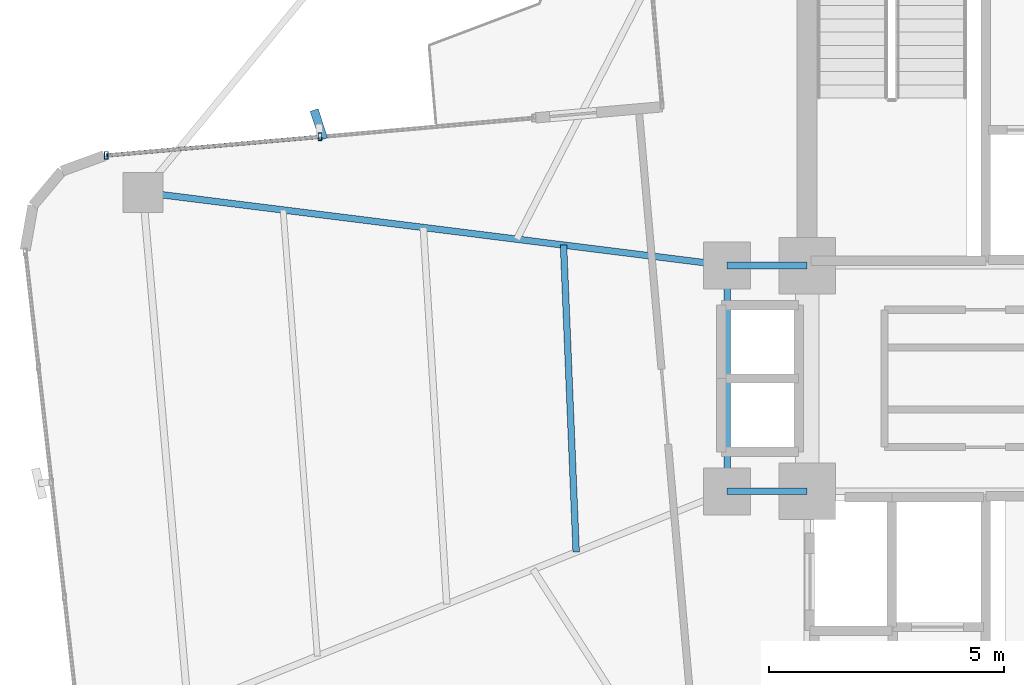
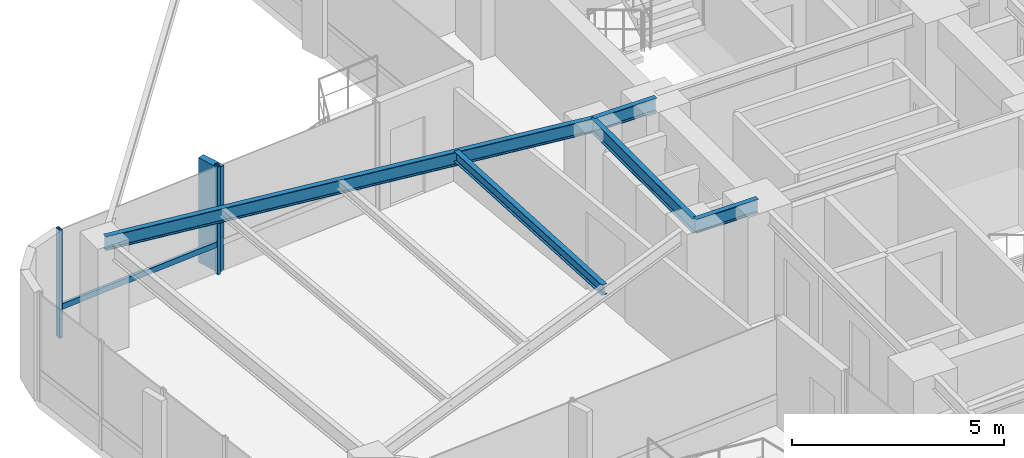
# One storey, part 9 of 24: 5 beams, 4 members, 1 element without a shape of its own.
"""IFC4 building model written with IfcOpenShell, lengths in metres."""

import ifcopenshell
import ifcopenshell.guid

model = None  # the IFC model being written
_history = None  # IfcOwnerHistory: only IFC2X3 demands one
_inside = {}  # id of a spatial element -> (the spatial element, [elements in it])
_under = {}  # id of a project, library or spatial element -> (it, [spatial elements below it])
_declared = {}  # id of a project -> (the project, [libraries it declares])
_typed = {}  # id of a type object -> (the type object, [elements of that type])
_made_of = {}  # id of a material, layer set ... -> (it, [elements and type objects made of it])


def new_model(schema):
    """Start an empty IFC model of exactly this schema.

    Asked for "IFC4X3", IfcOpenShell would pick the latest addendum, in which some entities
    have other attributes; the version numbers below select the first issue.
    IFC2X3 requires an IfcOwnerHistory on every rooted entity: one is made here for all.
    """
    global model, _history
    if schema == "IFC4X3":
        model = ifcopenshell.file(schema_version=(4, 3, 0, 0))
    else:
        model = ifcopenshell.file(schema=schema)
    _inside.clear()
    _under.clear()
    _declared.clear()
    _typed.clear()
    _made_of.clear()
    _history = None
    if model.schema == "IFC2X3":
        org = make("IfcOrganization", Name="unknown")
        user = make(
            "IfcPersonAndOrganization",
            ThePerson=make("IfcPerson", FamilyName="unknown"),
            TheOrganization=org,
        )
        app = make(
            "IfcApplication",
            ApplicationDeveloper=org,
            Version="unknown",
            ApplicationFullName="unknown",
            ApplicationIdentifier="unknown",
        )
        _history = make(
            "IfcOwnerHistory",
            OwningUser=user,
            OwningApplication=app,
            ChangeAction="ADDED",
            CreationDate=0,
        )
    return model


def make(cls, **values):
    """One entity of the class cls with the attributes given. An attribute that is None is left unset."""
    return model.create_entity(
        cls, **{name: value for name, value in values.items() if value is not None}
    )


def rooted(cls, **values):
    """An entity with a GlobalId (a new one), such as an element, a storey or a relation."""
    return make(cls, GlobalId=ifcopenshell.guid.new(), OwnerHistory=_history, **values)


def si_unit(unit_type, name, prefix=None):
    """IfcSIUnit, for example si_unit("LENGTHUNIT", "METRE", prefix="MILLI")."""
    return make("IfcSIUnit", UnitType=unit_type, Prefix=prefix, Name=name)


def assignment(units):
    """IfcUnitAssignment: the units of a project."""
    return None if units is None else make("IfcUnitAssignment", Units=units)


def point(xyz):
    """IfcCartesianPoint."""
    return None if xyz is None else make("IfcCartesianPoint", Coordinates=xyz)


def direction(xyz):
    """IfcDirection."""
    return None if xyz is None else make("IfcDirection", DirectionRatios=xyz)


def frame(location, z_axis=None, x_axis=None):
    """IfcAxis2Placement3D, a coordinate frame: its origin and axes. An axis left out is left unset."""
    return make(
        "IfcAxis2Placement3D",
        Location=point(location),
        Axis=direction(z_axis),
        RefDirection=direction(x_axis),
    )


def frame_2d(location, x_axis=None):
    """IfcAxis2Placement2D, a coordinate frame in the plane: its origin and x axis."""
    return make(
        "IfcAxis2Placement2D", Location=point(location), RefDirection=direction(x_axis)
    )


def origin():
    """The frame at (0, 0, 0) with its axes left unset."""
    return frame((0.0, 0.0, 0.0))


def origin_2d():
    """The frame at (0, 0) in the plane with its x axis left unset."""
    return frame_2d((0.0, 0.0))


def place(relative_to, where):
    """IfcLocalPlacement: puts the frame where relative to a parent placement (None: the world)."""
    return make(
        "IfcLocalPlacement", PlacementRelTo=relative_to, RelativePlacement=where
    )


def context(
    kind, dimensions, precision=None, world=None, true_north=None, identifier=None
):
    """IfcGeometricRepresentationContext, for example the 3D "Model" context."""
    return make(
        "IfcGeometricRepresentationContext",
        ContextIdentifier=identifier,
        ContextType=kind,
        CoordinateSpaceDimension=dimensions,
        Precision=precision,
        WorldCoordinateSystem=world,
        TrueNorth=true_north,
    )


def subcontext(parent, identifier, kind, view, scale=None):
    """IfcGeometricRepresentationSubContext, for example "Body" below "Model"."""
    return make(
        "IfcGeometricRepresentationSubContext",
        ContextIdentifier=identifier,
        ContextType=kind,
        ParentContext=parent,
        TargetScale=scale,
        TargetView=view,
    )


def project(units=None, contexts=None):
    """IfcProject with its units and contexts."""
    return rooted(
        "IfcProject",
        Name="project",
        RepresentationContexts=contexts,
        UnitsInContext=assignment(units),
    )


def spatial(cls, under=None, at=None, **own):
    """A site, building, storey or space (cls), placed at a placement, below another one or the project."""
    s = rooted(cls, ObjectPlacement=at, **own)
    if under is not None:
        _under.setdefault(under.id(), (under, []))[1].append(s)
    return s


def profile(cls, at=None, kind="AREA", **sizes):
    """A parametric profile (cls). Its sizes go by their IFC names, for example OverallWidth=200.0."""
    return make(cls, ProfileType=kind, Position=at, **sizes)


def rectangle(**sizes):
    """IfcRectangleProfileDef."""
    return profile("IfcRectangleProfileDef", **sizes)


def hollow_rectangle(**sizes):
    """IfcRectangleHollowProfileDef."""
    return profile("IfcRectangleHollowProfileDef", **sizes)


def i_section(**sizes):
    """IfcIShapeProfileDef."""
    return profile("IfcIShapeProfileDef", **sizes)


def extrude(swept, where, along, depth):
    """IfcExtrudedAreaSolid: the profile swept, set in the frame where, extruded along a direction by depth."""
    return make(
        "IfcExtrudedAreaSolid",
        SweptArea=swept,
        Position=where,
        ExtrudedDirection=direction(along),
        Depth=depth,
    )


def shape(context_of_items, identifier, shape_type, items):
    """IfcShapeRepresentation: the items that make up one representation, for example the "Body"."""
    return make(
        "IfcShapeRepresentation",
        ContextOfItems=context_of_items,
        RepresentationIdentifier=identifier,
        RepresentationType=shape_type,
        Items=items,
    )


def source(mapping_origin, context_of_items, identifier, shape_type, items):
    """IfcRepresentationMap: a shape defined once, which mapped items show again and again."""
    return make(
        "IfcRepresentationMap",
        MappingOrigin=mapping_origin,
        MappedRepresentation=shape(context_of_items, identifier, shape_type, items),
    )


def transform(
    local_origin,
    x_axis=None,
    y_axis=None,
    z_axis=None,
    scale=None,
    scale2=None,
    scale3=None,
    uniform=True,
):
    """IfcCartesianTransformationOperator3D, or its non-uniform kind. x_axis, y_axis, z_axis: its Axis1, 2, 3."""
    if uniform:
        return make(
            "IfcCartesianTransformationOperator3D",
            Axis1=direction(x_axis),
            Axis2=direction(y_axis),
            LocalOrigin=point(local_origin),
            Scale=scale,
            Axis3=direction(z_axis),
        )
    return make(
        "IfcCartesianTransformationOperator3DnonUniform",
        Axis1=direction(x_axis),
        Axis2=direction(y_axis),
        LocalOrigin=point(local_origin),
        Scale=scale,
        Axis3=direction(z_axis),
        Scale2=scale2,
        Scale3=scale3,
    )


def mapped(mapping_source, mapping_target):
    """IfcMappedItem: shows the shape of a source again, moved by a transform."""
    return make(
        "IfcMappedItem", MappingSource=mapping_source, MappingTarget=mapping_target
    )


def material(Name=None, Category=None):
    """IfcMaterial."""
    return make("IfcMaterial", Name=Name, Category=Category)


def material_profile(
    of_material, cross_section, Name=None, Category=None, Priority=None
):
    """IfcMaterialProfile: a cross section and its material."""
    return make(
        "IfcMaterialProfile",
        Name=Name,
        Material=of_material,
        Profile=cross_section,
        Priority=Priority,
        Category=Category,
    )


def profile_set(profiles, Name=None, composite=None):
    """IfcMaterialProfileSet."""
    return make(
        "IfcMaterialProfileSet",
        Name=Name,
        MaterialProfiles=profiles,
        CompositeProfile=composite,
    )


def made_of(thing, what):
    """Note that an element or type object is made of a material, layer set ...; save() writes the relation."""
    if what is not None:
        _made_of.setdefault(what.id(), (what, []))[1].append(thing)
    return thing


def type_object(cls, material=None, **own):
    """A type object (cls), such as IfcWallType, which elements share."""
    return made_of(rooted(cls, **own), material)


def element(
    cls,
    number,
    at=None,
    inside=None,
    cuts=None,
    type_object=None,
    material=None,
    context=None,
    identifier="Body",
    shape_type=None,
    held_by="IfcProductDefinitionShape",
    body=None,
    shapes=None,
    **own,
):
    """One element of the class cls, such as IfcWall. Its Tag is "e" and its number.

    at: its placement. inside: the storey or other place that contains it. cuts: it is an
    opening in that element (IfcRelVoidsElement). A single representation is given by context,
    identifier, shape_type and body (its items); several are given by shapes. held_by: the class
    of the entity that holds the representations. save() writes the other relations.
    """
    e = rooted(cls, Tag="e%d" % number, ObjectPlacement=at, **own)
    if body is not None:
        shapes = [shape(context, identifier, shape_type, body)]
    if shapes is not None:
        e.Representation = make(held_by, Representations=shapes)
    if inside is not None:
        _inside.setdefault(inside.id(), (inside, []))[1].append(e)
    if cuts is not None:
        rooted(
            "IfcRelVoidsElement", RelatingBuildingElement=cuts, RelatedOpeningElement=e
        )
    if type_object is not None:
        _typed.setdefault(type_object.id(), (type_object, []))[1].append(e)
    return made_of(e, material)


def aggregate(whole, parts):
    """IfcRelAggregates: a whole, such as a stair, and the parts it consists of."""
    return rooted("IfcRelAggregates", RelatingObject=whole, RelatedObjects=parts)


def save(model, path):
    """Write the relations noted so far, then the file.

    IfcRelAggregates (storeys below a building ...), IfcRelContainedInSpatialStructure (elements
    in a storey), IfcRelDefinesByType, IfcRelAssociatesMaterial and IfcRelDeclares: one each for
    every whole, place, type object, material and project.
    """
    for whole, parts in _under.values():
        aggregate(whole, parts)
    for where, things in _inside.values():
        rooted(
            "IfcRelContainedInSpatialStructure",
            RelatedElements=things,
            RelatingStructure=where,
        )
    for kind, things in _typed.values():
        rooted("IfcRelDefinesByType", RelatedObjects=things, RelatingType=kind)
    for what, things in _made_of.values():
        rooted("IfcRelAssociatesMaterial", RelatedObjects=things, RelatingMaterial=what)
    for by, libraries in _declared.values():
        rooted("IfcRelDeclares", RelatingContext=by, RelatedDefinitions=libraries)
    model.write(path)


model = new_model("IFC4")

# Units and contexts
model_context = context("Model", 3, precision=1e-05, world=origin(), true_north=direction((0.0, 1.0)))
body_context = subcontext(model_context, "Body", "Model", "MODEL_VIEW")
ifc_project = project(units=[si_unit("LENGTHUNIT", "METRE"), si_unit("AREAUNIT", "SQUARE_METRE"), si_unit("VOLUMEUNIT", "CUBIC_METRE"), si_unit("PLANEANGLEUNIT", "RADIAN"), si_unit("MASSUNIT", "GRAM", prefix="KILO")], contexts=[model_context])

# Site, building, storey
site_placement = place(None, origin())
site = spatial("IfcSite", under=ifc_project, at=site_placement, CompositionType="ELEMENT")
building_placement = place(site_placement, origin())
building = spatial("IfcBuilding", under=site, at=building_placement, Name="Sahyath Konkavel Grand Hotel", CompositionType="ELEMENT")
storey_placement = place(building_placement, frame((0.0, 0.0, 185.25)))
storey = spatial("IfcBuildingStorey", under=building, at=storey_placement, Name="L51", CompositionType="ELEMENT", Elevation=185.25)

# Beams
ifc_material_1 = material(Name="Steel E350", Category="steel")
ifc_material_profile_1 = material_profile(ifc_material_1, i_section(OverallWidth=0.139892578125, OverallDepth=0.39990234375, WebThickness=0.0087890625, FlangeThickness=0.01611328125, FilletRadius=0.013916015625, at=origin_2d()), Name="ISMB 400")
ifc_profile_set_1 = profile_set([ifc_material_profile_1], Name="Steel E350")
beam_type_1 = type_object("IfcBeamType", Name="BM-ISMB400", PredefinedType="BEAM", material=ifc_profile_set_1)
shared_shape_1 = source(origin(), body_context, "Body", "SweptSolid", [
    extrude(i_section(OverallWidth=0.139892578125, OverallDepth=0.39990234375, WebThickness=0.0087890625, FlangeThickness=0.01611328125, FilletRadius=0.013916015625, at=origin_2d()), origin(), (0.0, 0.0, 1.0), 1.699951171875),
])
for number, where, z_axis, x_axis, name in (
    (1, (-5.5, 2.39990234375, 2.909912109375), (1.0, 0.0, 0.0), (0.0, 1.0, 0.0), "str:bm:L51:HB-NW"),
    (2, (-5.5, -2.39990234375, 2.909912109375), (1.0, 0.0, 0.0), (0.0, 1.0, 0.0), "str:bm:L51:HB-SW"),
):
    element("IfcBeam", number, at=place(storey_placement, frame(where, z_axis=z_axis, x_axis=x_axis)), inside=storey, type_object=beam_type_1, Name=name, PredefinedType="BEAM", context=body_context, shape_type="MappedRepresentation", body=[
        mapped(shared_shape_1, transform((0.0, 0.0, 0.0), scale=1.0)),
    ])
shared_shape_2 = source(origin(), body_context, "Body", "SweptSolid", [
    extrude(i_section(OverallWidth=0.139892578125, OverallDepth=0.39990234375, WebThickness=0.0087890625, FlangeThickness=0.01611328125, FilletRadius=0.013916015625, at=origin_2d()), origin(), (0.0, 0.0, 1.0), 4.7998046875),
])
beam_1_placement = place(storey_placement, frame((-5.5, -2.39990234375, 2.909912109375), z_axis=(0.0, 1.0, 0.0), x_axis=(-1.0, 0.0, 0.0)))
element("IfcBeam", 3, at=beam_1_placement, inside=storey, type_object=beam_type_1, Name="str:bm:L51:HB-W", PredefinedType="BEAM", context=body_context, shape_type="MappedRepresentation", body=[
    mapped(shared_shape_2, transform((0.0, 0.0, 0.0), scale=1.0)),
])
shared_shape_3 = source(origin(), body_context, "Body", "SweptSolid", [
    extrude(i_section(OverallWidth=0.139892578125, OverallDepth=0.39990234375, WebThickness=0.0087890625, FlangeThickness=0.01611328125, FilletRadius=0.013916015625, at=origin_2d()), origin(), (0.0, 0.0, 1.0), 12.509765625),
])
beam_2_placement = place(storey_placement, frame((-5.5, 2.39990234375, 2.909912109375), z_axis=(-0.992254740459, 0.124219684578, 0.0), x_axis=(-0.124219684578, -0.992254740459, 0.0)))
element("IfcBeam", 4, at=beam_2_placement, inside=storey, type_object=beam_type_1, Name="L51 Cruciform Radial Girder WA", PredefinedType="BEAM", context=body_context, shape_type="MappedRepresentation", body=[
    mapped(shared_shape_3, transform((0.0, 0.0, 0.0), scale=1.0)),
])
ifc_material_profile_2 = material_profile(ifc_material_1, i_section(OverallWidth=0.139892578125, OverallDepth=0.300048828125, WebThickness=0.0078125, FlangeThickness=0.01318359375, FilletRadius=0.013916015625, at=origin_2d()), Name="ISMB 300")
ifc_profile_set_2 = profile_set([ifc_material_profile_2], Name="Steel E350")
beam_type_2 = type_object("IfcBeamType", Name="BM-ISMB300", PredefinedType="BEAM", material=ifc_profile_set_2)
shared_shape_4 = source(origin(), body_context, "Body", "SweptSolid", [
    extrude(i_section(OverallWidth=0.139892578125, OverallDepth=0.300048828125, WebThickness=0.0078125, FlangeThickness=0.01318359375, FilletRadius=0.013916015625, at=origin_2d()), origin(), (0.0, 0.0, 1.0), 6.530029296875),
])
beam_3_placement = place(storey_placement, frame((-8.9755859375, 2.835205078125, 2.9599609375), z_axis=(0.04112667768, -0.999153940283, 0.0), x_axis=(0.999153940283, 0.04112667768, 0.0)))
element("IfcBeam", 5, at=beam_3_placement, inside=storey, type_object=beam_type_2, Name="L51 Secondary Floor Beam W-1", PredefinedType="BEAM", context=body_context, shape_type="MappedRepresentation", body=[
    mapped(shared_shape_4, transform((0.0, 0.0, 0.0), scale=1.0)),
])

# Curtain wall, members
ifc_material_2 = material(Name="Anodised Bronze Aluminium & Low-E Glazing", Category="aluminium")
curtain_wall_type = type_object("IfcCurtainWallType", Name="CW-ZONE3", PredefinedType="NOTDEFINED", material=ifc_material_2)
curtain_wall_placement = place(storey_placement, origin())
curtain_wall = element("IfcCurtainWall", 6, at=curtain_wall_placement, inside=storey, type_object=curtain_wall_type, Name="L51 Unitised Curtain Wall F16", PredefinedType="NOTDEFINED")
ifc_material_3 = material(Name="Warm Buff Sandstone Cladding on Concrete C50/60", Category="masonry")
ifc_material_profile_3 = material_profile(ifc_material_3, rectangle(XDim=0.179931640625, YDim=0.64990234375, at=origin_2d()), Name="FIN 180x650")
ifc_profile_set_3 = profile_set([ifc_material_profile_3], Name="Warm Buff Sandstone Cladding on Concrete C50/60")
member_type_1 = type_object("IfcMemberType", Name="FIN-SANDSTONE-650", PredefinedType="MULLION", material=ifc_profile_set_3)
shared_shape_5 = source(origin(), body_context, "Body", "SweptSolid", [
    extrude(rectangle(XDim=0.179931640625, YDim=0.64990234375, at=origin_2d()), origin(), (0.0, 0.0, 1.0), 3.010009765625),
])
member_1_placement = place(storey_placement, frame((-14.17431640625, 5.39501953125, 0.050048828125), z_axis=(0.0, 0.0, 1.0), x_axis=(0.951272019071, 0.30835295642, 0.0)))
member_1 = element("IfcMember", 7, at=member_1_placement, type_object=member_type_1, Name="L51 Sandstone Vertical Solar Fin FIN F16-1", PredefinedType="MULLION", context=body_context, shape_type="MappedRepresentation", body=[
    mapped(shared_shape_5, transform((0.0, 0.0, 0.0), scale=1.0)),
])
ifc_material_4 = material(Name="Anodised Bronze Aluminium", Category="aluminium")
ifc_material_profile_4 = material_profile(ifc_material_4, hollow_rectangle(XDim=0.080078125, YDim=0.159912109375, WallThickness=0.006103515625, at=origin_2d()), Name="RHS 160x80x6")
ifc_profile_set_4 = profile_set([ifc_material_profile_4], Name="Anodised Bronze Aluminium")
member_type_2 = type_object("IfcMemberType", Name="CW-MUL-160", PredefinedType="MULLION", material=ifc_profile_set_4)
shared_shape_6 = source(origin(), body_context, "Body", "SweptSolid", [
    extrude(hollow_rectangle(XDim=0.080078125, YDim=0.159912109375, WallThickness=0.006103515625, at=origin_2d()), origin(), (0.0, 0.0, 1.0), 3.110107421875),
])
member_2_placement = place(storey_placement, frame((-14.151611328125, 5.135986328125, 0.0), z_axis=(0.0, 0.0, 1.0), x_axis=(1.0, 0.0, 0.0)))
member_2 = element("IfcMember", 8, at=member_2_placement, type_object=member_type_2, Name="L51 Curtain Wall Mullion F16-1", PredefinedType="MULLION", context=body_context, shape_type="MappedRepresentation", body=[
    mapped(shared_shape_6, transform((0.0, 0.0, 0.0), scale=1.0)),
])
member_3_placement = place(storey_placement, frame((-18.694091796875, 4.73876953125, 0.0), z_axis=(0.0, 0.0, 1.0), x_axis=(1.0, 0.0, 0.0)))
member_3 = element("IfcMember", 9, at=member_3_placement, type_object=member_type_2, Name="L51 Curtain Wall Mullion F16-2", PredefinedType="MULLION", context=body_context, shape_type="MappedRepresentation", body=[
    mapped(shared_shape_6, transform((0.0, 0.0, 0.0), scale=1.0)),
])
ifc_material_profile_5 = material_profile(ifc_material_4, hollow_rectangle(XDim=0.080078125, YDim=0.159912109375, WallThickness=0.006103515625, at=origin_2d()), Name="RHS 160x80x6")
ifc_profile_set_5 = profile_set([ifc_material_profile_5], Name="Anodised Bronze Aluminium")
member_type_3 = type_object("IfcMemberType", Name="CW-TRN-160", PredefinedType="USERDEFINED", material=ifc_profile_set_5)
shared_shape_7 = source(origin(), body_context, "Body", "SweptSolid", [
    extrude(hollow_rectangle(XDim=0.080078125, YDim=0.159912109375, WallThickness=0.006103515625, at=origin_2d()), origin(), (0.0, 0.0, 1.0), 4.559814453125),
])
member_4_placement = place(storey_placement, frame((-14.151611328125, 5.135986328125, 0.85009765625), z_axis=(-0.99619848155, -0.087112486804, 0.0), x_axis=(0.087112486804, -0.99619848155, 0.0)))
member_4 = element("IfcMember", 10, at=member_4_placement, type_object=member_type_3, Name="L51 Curtain Wall Transom F16-1-spandrel", ObjectType="TRANSOM", PredefinedType="USERDEFINED", context=body_context, shape_type="MappedRepresentation", body=[
    mapped(shared_shape_7, transform((0.0, 0.0, 0.0), scale=1.0)),
])
aggregate(curtain_wall, [member_2, member_1, member_3, member_4])

save(model, "model.ifc")
